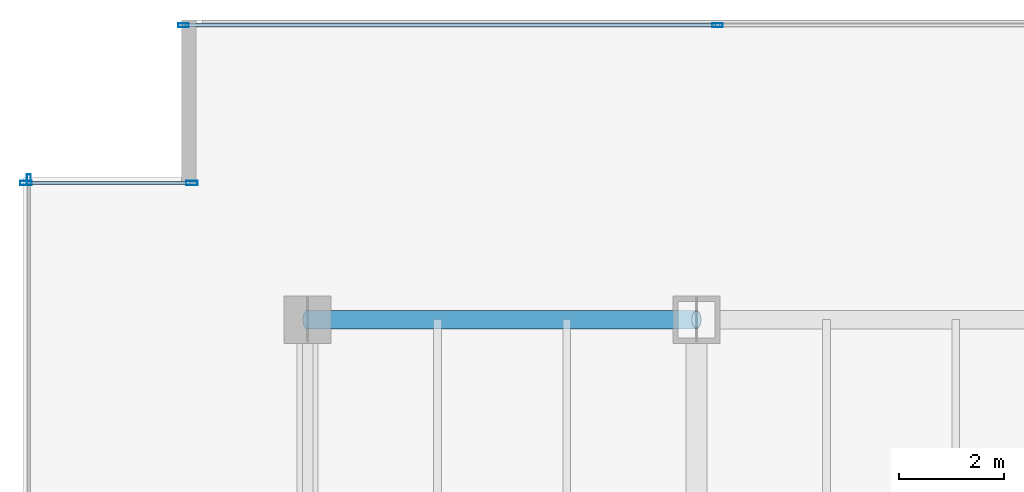
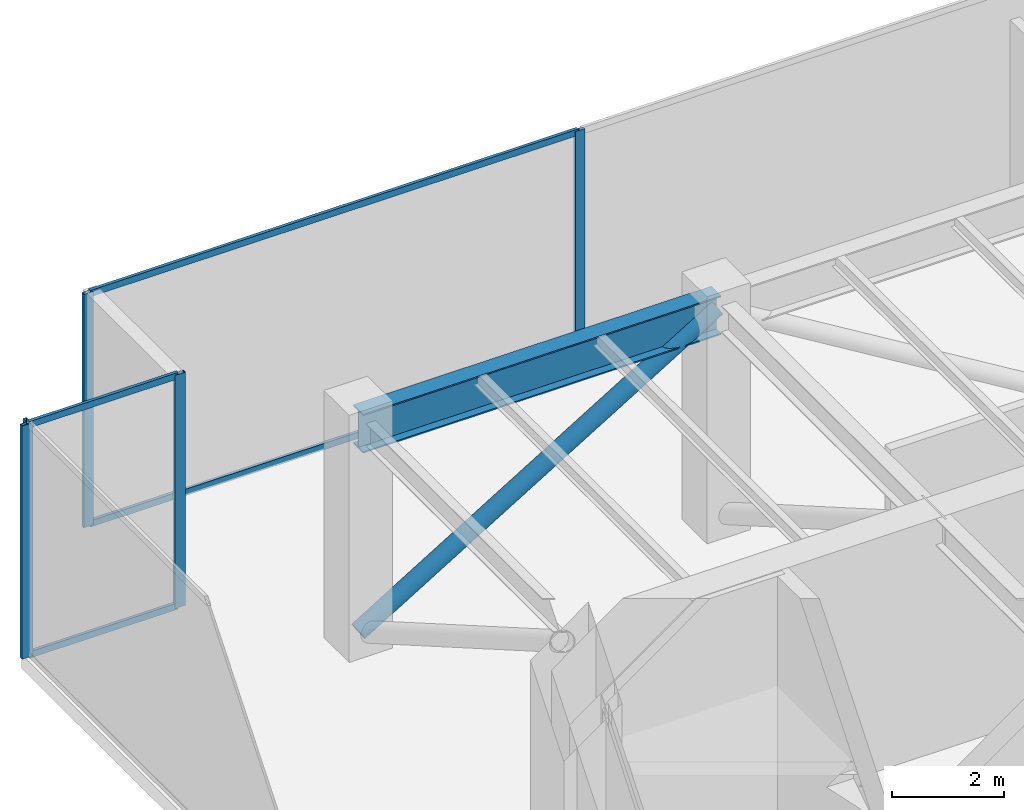
# One storey, part 14 of 34: 10 members, 1 beam, 3 elements without a shape of their own.
"""IFC4 building model written with IfcOpenShell, lengths in metres."""

from ifc_helpers import new_model, si_unit, direction, frame, origin, origin_2d, place, context, subcontext, project, spatial, hollow_rectangle, hollow_circle, i_section, extrude, source, transform, mapped, material, layer, layer_set, material_profile, profile_set, type_object, type_shapes, element, aggregate, save


model = new_model("IFC4")

# Units and contexts
model_context = context("Model", 3, precision=1e-05, world=origin(), true_north=direction((0.0, 1.0)))
body_context = subcontext(model_context, "Body", "Model", "MODEL_VIEW")
ifc_project = project(units=[si_unit("LENGTHUNIT", "METRE"), si_unit("AREAUNIT", "SQUARE_METRE"), si_unit("VOLUMEUNIT", "CUBIC_METRE"), si_unit("PLANEANGLEUNIT", "RADIAN"), si_unit("MASSUNIT", "GRAM", prefix="KILO")], contexts=[model_context])

# Site, building, storey
site_placement = place(None, origin())
site = spatial("IfcSite", under=ifc_project, at=site_placement, CompositionType="ELEMENT")
building_placement = place(site_placement, origin())
building = spatial("IfcBuilding", under=site, at=building_placement, Name="Haelvirn Gate Laboratories", CompositionType="ELEMENT")
storey_placement = place(building_placement, frame((0.0, 0.0, 191.199951171875)))
storey = spatial("IfcBuildingStorey", under=building, at=storey_placement, Name="L46", CompositionType="ELEMENT", Elevation=191.199951171875)

# Beam
ifc_material_1 = material(Name="Steel SM420", Category="steel")
ifc_material_profile_1 = material_profile(ifc_material_1, i_section(OverallWidth=0.35009765625, OverallDepth=0.85009765625, WebThickness=0.01611328125, FlangeThickness=0.028076171875, at=origin_2d()), Name="H-850x350x16x28")
ifc_profile_set_1 = profile_set([ifc_material_profile_1], Name="Steel SM420")
beam_type = type_object("IfcBeamType", Name="BM-AG-850", PredefinedType="BEAM", material=ifc_profile_set_1)
shared_shape_1 = source(origin(), body_context, "Body", "SweptSolid", [
    extrude(i_section(OverallWidth=0.35009765625, OverallDepth=0.85009765625, WebThickness=0.01611328125, FlangeThickness=0.028076171875, at=origin_2d()), origin(), (0.0, 0.0, 1.0), 7.400146484375),
])
type_shapes(beam_type, [shared_shape_1])
beam_placement = place(storey_placement, frame((7.39990234375, 41.60009765625, 4.675048828125), z_axis=(1.0, 0.0, 0.0), x_axis=(0.0, 1.0, 0.0)))
element("IfcBeam", 1, at=beam_placement, inside=storey, type_object=beam_type, Name="L46 Primary Girder Y41.6 (7.4-14.8)", PredefinedType="BEAM", context=body_context, shape_type="MappedRepresentation", body=[
    mapped(shared_shape_1, transform((0.0, 0.0, 0.0), scale=1.0)),
])

# Member
ifc_material_2 = material(Name="Steel SM355", Category="steel")
ifc_material_profile_2 = material_profile(ifc_material_2, hollow_circle(Radius=0.177734375, WallThickness=0.013916015625, at=origin_2d()), Name="CHS-355x14")
ifc_profile_set_2 = profile_set([ifc_material_profile_2], Name="Steel SM355")
member_type_1 = type_object("IfcMemberType", Name="MEM-BELT-1", PredefinedType="STRUT", material=ifc_profile_set_2)
shared_shape_2 = source(origin(), body_context, "Body", "SweptSolid", [
    extrude(hollow_circle(Radius=0.177734375, WallThickness=0.013916015625, at=origin_2d()), origin(), (0.0, 0.0, 1.0), 8.660888671875),
])
type_shapes(member_type_1, [shared_shape_2])
member_1_placement = place(storey_placement, frame((7.39990234375, 41.60009765625, 0.25), z_axis=(0.854426004789, 0.0, 0.519573096244), x_axis=(0.0, 1.0, 0.0)))
element("IfcMember", 2, at=member_1_placement, inside=storey, type_object=member_type_1, Name="L46 Perimeter Belt Truss N1", PredefinedType="STRUT", context=body_context, shape_type="MappedRepresentation", body=[
    mapped(shared_shape_2, transform((0.0, 0.0, 0.0), scale=1.0)),
])

# Curtain wall, members
ifc_material_3 = material(Name="Anodised bronze unitised aluminium & triple low-E glass", Category="aluminium")
ifc_layer_1 = layer(ifc_material_3, 0.179931640625, Name="CW-SYS-3")
ifc_layer_set_1 = layer_set([ifc_layer_1], Name="Anodised bronze unitised aluminium & triple low-E glass")
curtain_wall_type_1 = type_object("IfcCurtainWallType", Name="CW-SYS-3", PredefinedType="NOTDEFINED", material=ifc_layer_set_1)
curtain_wall_1_placement = place(storey_placement, origin())
curtain_wall_1 = element("IfcCurtainWall", 3, at=curtain_wall_1_placement, inside=storey, type_object=curtain_wall_type_1, Name="L46 Unitised Curtain Wall CW-L46-P0-E14-1", PredefinedType="NOTDEFINED")
ifc_material_4 = material(Name="Extruded aluminium 6063-T6 (anodised bronze)", Category="aluminium")
ifc_material_profile_3 = material_profile(ifc_material_4, hollow_rectangle(XDim=0.06494140625, YDim=0.139892578125, WallThickness=0.00390625, at=origin_2d()), Name="CWT-140x65x4")
ifc_profile_set_3 = profile_set([ifc_material_profile_3], Name="Extruded aluminium 6063-T6 (anodised bronze)")
member_type_2 = type_object("IfcMemberType", Name="CWT-T140", PredefinedType="USERDEFINED", material=ifc_profile_set_3)
shared_shape_3 = source(origin(), body_context, "Body", "SweptSolid", [
    extrude(hollow_rectangle(XDim=0.06494140625, YDim=0.139892578125, WallThickness=0.00390625, at=origin_2d()), origin(), (0.0, 0.0, 1.0), 10.087646484375),
])
member_2_placement = place(storey_placement, frame((5.074951171875, 47.199951171875, 0.032470703125), z_axis=(1.0, 0.0, 0.0), x_axis=(0.0, 1.0, 0.0)))
member_2 = element("IfcMember", 4, at=member_2_placement, type_object=member_type_2, Name="CW3 transom 1.1", ObjectType="TRANSOM", PredefinedType="USERDEFINED", context=body_context, shape_type="MappedRepresentation", body=[
    mapped(shared_shape_3, transform((0.0, 0.0, 0.0), scale=1.0)),
])
member_3_placement = place(storey_placement, frame((5.074951171875, 47.199951171875, 5.067626953125), z_axis=(1.0, 0.0, 0.0), x_axis=(0.0, 1.0, 0.0)))
member_3 = element("IfcMember", 5, at=member_3_placement, type_object=member_type_2, Name="CW3 transom 1.2", ObjectType="TRANSOM", PredefinedType="USERDEFINED", context=body_context, shape_type="MappedRepresentation", body=[
    mapped(shared_shape_3, transform((0.0, 0.0, 0.0), scale=1.0)),
])

ifc_layer_2 = layer(ifc_material_3, 0.181884765625, Name="CW-SYS-5")
ifc_layer_set_2 = layer_set([ifc_layer_2], Name="Anodised bronze unitised aluminium & triple low-E glass")
curtain_wall_type_2 = type_object("IfcCurtainWallType", Name="CW-SYS-5", PredefinedType="NOTDEFINED", material=ifc_layer_set_2)
curtain_wall_2_placement = place(storey_placement, origin())
curtain_wall_2 = element("IfcCurtainWall", 6, at=curtain_wall_2_placement, inside=storey, type_object=curtain_wall_type_2, Name="L46 Unitised Curtain Wall CW-L46-P0-E16-1", PredefinedType="NOTDEFINED")
shared_shape_4 = source(origin(), body_context, "Body", "SweptSolid", [
    extrude(hollow_rectangle(XDim=0.06494140625, YDim=0.139892578125, WallThickness=0.00390625, at=origin_2d()), origin(), (0.0, 0.0, 1.0), 3.079833984375),
])
type_shapes(member_type_2, [shared_shape_3, shared_shape_4])
member_4_placement = place(storey_placement, frame((2.080078125, 44.199951171875, 0.032470703125), z_axis=(1.0, 0.0, 0.0), x_axis=(0.0, 1.0, 0.0)))
member_4 = element("IfcMember", 7, at=member_4_placement, type_object=member_type_2, Name="CW5 transom 1.1", ObjectType="TRANSOM", PredefinedType="USERDEFINED", context=body_context, shape_type="MappedRepresentation", body=[
    mapped(shared_shape_4, transform((0.0, 0.0, 0.0), scale=1.0)),
])
member_5_placement = place(storey_placement, frame((2.080078125, 44.199951171875, 5.067626953125), z_axis=(1.0, 0.0, 0.0), x_axis=(0.0, 1.0, 0.0)))
member_5 = element("IfcMember", 8, at=member_5_placement, type_object=member_type_2, Name="CW5 transom 1.2", ObjectType="TRANSOM", PredefinedType="USERDEFINED", context=body_context, shape_type="MappedRepresentation", body=[
    mapped(shared_shape_4, transform((0.0, 0.0, 0.0), scale=1.0)),
])

# Member
ifc_material_profile_4 = material_profile(ifc_material_4, hollow_rectangle(XDim=0.074951171875, YDim=0.199951171875, WallThickness=0.0048828125, at=origin_2d()), Name="CWM-200x75x5")
ifc_profile_set_4 = profile_set([ifc_material_profile_4], Name="Extruded aluminium 6063-T6 (anodised bronze)")
member_type_3 = type_object("IfcMemberType", Name="CWM-T200", PredefinedType="MULLION", material=ifc_profile_set_4)
shared_shape_5 = source(origin(), body_context, "Body", "SweptSolid", [
    extrude(hollow_rectangle(XDim=0.074951171875, YDim=0.199951171875, WallThickness=0.0048828125, at=origin_2d()), origin(), (0.0, 0.0, 1.0), 5.10009765625),
])
type_shapes(member_type_3, [shared_shape_5])
member_6_placement = place(storey_placement, frame((5.03759765625, 47.199951171875, 0.0), z_axis=(0.0, 0.0, 1.0), x_axis=(0.0, 1.0, 0.0)))
member_6 = element("IfcMember", 9, at=member_6_placement, type_object=member_type_3, Name="CW3 mullion 1", PredefinedType="MULLION", context=body_context, shape_type="MappedRepresentation", body=[
    mapped(shared_shape_5, transform((0.0, 0.0, 0.0), scale=1.0)),
])

member_7_placement = place(storey_placement, frame((15.199951171875, 47.199951171875, 0.0), z_axis=(0.0, 0.0, 1.0), x_axis=(0.0, 1.0, 0.0)))
member_7 = element("IfcMember", 10, at=member_7_placement, type_object=member_type_3, Name="CW3 mullion 2", PredefinedType="MULLION", context=body_context, shape_type="MappedRepresentation", body=[
    mapped(shared_shape_5, transform((0.0, 0.0, 0.0), scale=1.0)),
])

aggregate(curtain_wall_1, [member_6, member_7, member_2, member_3])

# Curtain wall, member
curtain_wall_3_placement = place(storey_placement, origin())
curtain_wall_3 = element("IfcCurtainWall", 11, at=curtain_wall_3_placement, inside=storey, type_object=curtain_wall_type_1, Name="L46 Unitised Curtain Wall CW-L46-P0-E17", PredefinedType="NOTDEFINED")
member_8_placement = place(storey_placement, frame((2.10009765625, 44.262451171875, 0.0), z_axis=(0.0, 0.0, 1.0), x_axis=(1.0, 0.0, 0.0)))
member_8 = element("IfcMember", 12, at=member_8_placement, type_object=member_type_3, Name="CW3 mullion 1", PredefinedType="MULLION", context=body_context, shape_type="MappedRepresentation", body=[
    mapped(shared_shape_5, transform((0.0, 0.0, 0.0), scale=1.0)),
])
aggregate(curtain_wall_3, [member_8])

# Member
ifc_material_profile_5 = material_profile(ifc_material_4, hollow_rectangle(XDim=0.080078125, YDim=0.219970703125, WallThickness=0.006103515625, at=origin_2d()), Name="CWM-220x80x6")
ifc_profile_set_5 = profile_set([ifc_material_profile_5], Name="Extruded aluminium 6063-T6 (anodised bronze)")
member_type_4 = type_object("IfcMemberType", Name="CWM-T220", PredefinedType="MULLION", material=ifc_profile_set_5)
shared_shape_6 = source(origin(), body_context, "Body", "SweptSolid", [
    extrude(hollow_rectangle(XDim=0.080078125, YDim=0.219970703125, WallThickness=0.006103515625, at=origin_2d()), origin(), (0.0, 0.0, 1.0), 5.10009765625),
])
type_shapes(member_type_4, [shared_shape_6])
member_9_placement = place(storey_placement, frame((2.0400390625, 44.199951171875, 0.0), z_axis=(0.0, 0.0, 1.0), x_axis=(0.0, 1.0, 0.0)))
member_9 = element("IfcMember", 13, at=member_9_placement, type_object=member_type_4, Name="CW5 mullion 1", PredefinedType="MULLION", context=body_context, shape_type="MappedRepresentation", body=[
    mapped(shared_shape_6, transform((0.0, 0.0, 0.0), scale=1.0)),
])

member_10_placement = place(storey_placement, frame((5.199951171875, 44.199951171875, 0.0), z_axis=(0.0, 0.0, 1.0), x_axis=(0.0, 1.0, 0.0)))
member_10 = element("IfcMember", 14, at=member_10_placement, type_object=member_type_4, Name="CW5 mullion 2", PredefinedType="MULLION", context=body_context, shape_type="MappedRepresentation", body=[
    mapped(shared_shape_6, transform((0.0, 0.0, 0.0), scale=1.0)),
])

aggregate(curtain_wall_2, [member_9, member_10, member_4, member_5])

save(model, "model.ifc")
